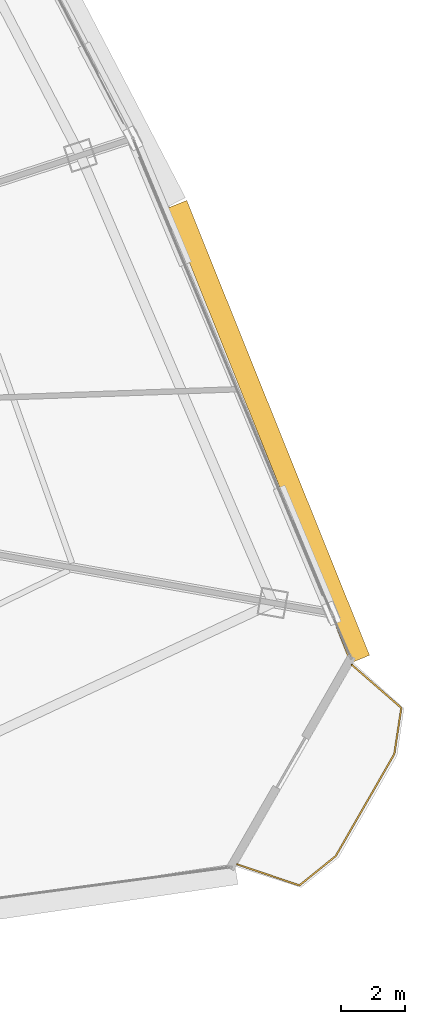
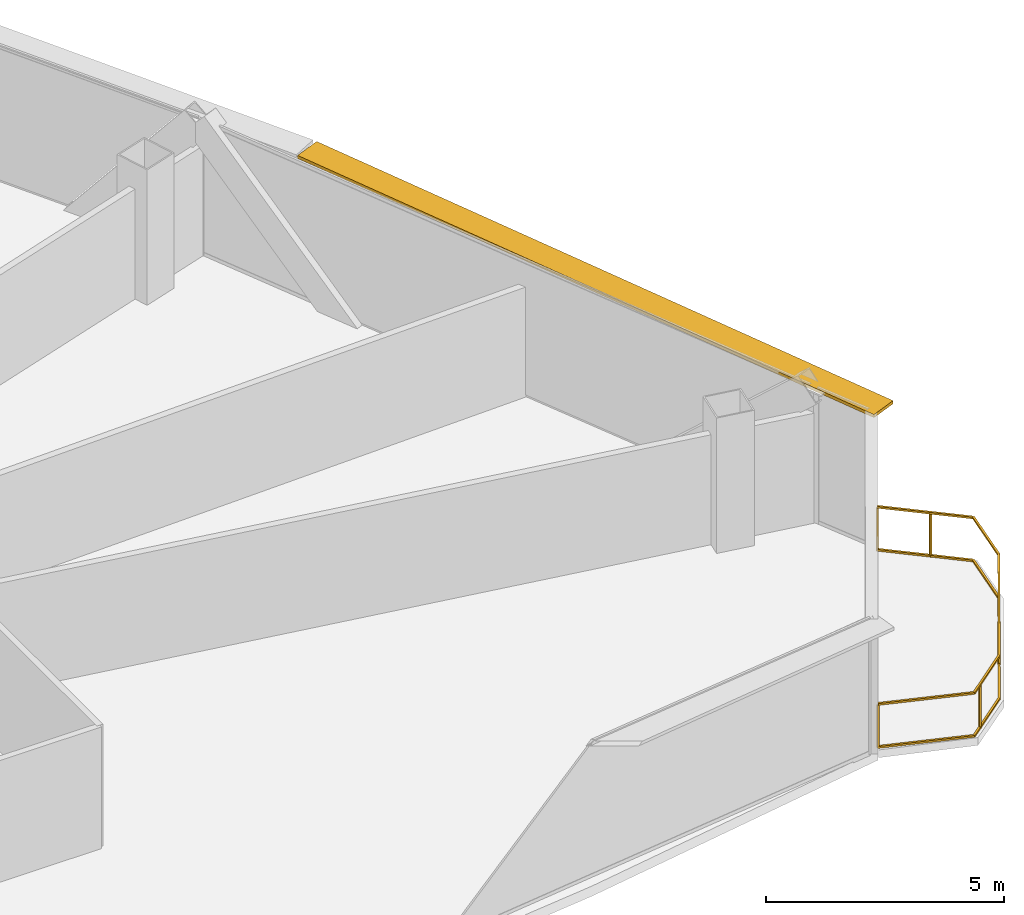
# One storey, part 37 of 37: 1 railing, 1 shading device.
"""IFC4 building model written with IfcOpenShell, lengths in metres."""

from ifc_helpers import new_model, si_unit, direction, frame, origin, origin_2d, place, context, subcontext, project, spatial, rectangle, extrude, source, transform, mapped, material, layer, layer_set, type_object, element, save


model = new_model("IFC4")

# Units and contexts
model_context = context("Model", 3, precision=1e-05, world=origin(), true_north=direction((0.0, 1.0)))
body_context = subcontext(model_context, "Body", "Model", "MODEL_VIEW")
ifc_project = project(units=[si_unit("LENGTHUNIT", "METRE"), si_unit("AREAUNIT", "SQUARE_METRE"), si_unit("VOLUMEUNIT", "CUBIC_METRE"), si_unit("PLANEANGLEUNIT", "RADIAN"), si_unit("MASSUNIT", "GRAM", prefix="KILO"), si_unit("THERMODYNAMICTEMPERATUREUNIT", "KELVIN"), si_unit("POWERUNIT", "WATT")], contexts=[model_context])

# Site, building, storey
site_placement = place(None, origin())
site = spatial("IfcSite", under=ifc_project, at=site_placement, CompositionType="ELEMENT")
building_placement = place(site_placement, origin())
building = spatial("IfcBuilding", under=site, at=building_placement, Name="Yunzhuo Pagoda Commons", CompositionType="ELEMENT")
storey_placement = place(building_placement, frame((0.0, 0.0, 251.989990234375)))
storey = spatial("IfcBuildingStorey", under=building, at=storey_placement, Name="L63", CompositionType="ELEMENT", Elevation=251.989990234375)

# Railing
ifc_material = material(Name="Anodized aluminium 6063-T6", Category="aluminium")
railing_type = type_object("IfcRailingType", Name="RL-BAL1 Exterior Terrace & Balcony Balustrade 1150", PredefinedType="BALUSTRADE", material=ifc_material)
railing_placement = place(storey_placement, frame((78.8203125, 19.86328125, 0.0)))
element("IfcRailing", 1, at=railing_placement, inside=storey, type_object=railing_type, Name="L63 corner balcony balustrade V2", PredefinedType="BALUSTRADE", context=body_context, shape_type="SweptSolid", body=[
    extrude(rectangle(XDim=0.048095703125, YDim=0.048095703125, at=origin_2d()), frame((0.0, 0.0, 1.1259765625), z_axis=(0.947419062147, -0.319995501031, 0.0), x_axis=(0.319995501031, 0.947419062147, 0.0)), (0.0, 0.0, 1.0), 2.05908203125),
    extrude(rectangle(XDim=0.048095703125, YDim=0.048095703125, at=origin_2d()), frame((0.0, 0.0, 0.02392578125), z_axis=(0.947419062147, -0.319995501031, 0.0), x_axis=(0.319995501031, 0.947419062147, 0.0)), (0.0, 0.0, 1.0), 2.05908203125),
    extrude(rectangle(XDim=0.048095703125, YDim=0.048095703125, at=origin_2d()), frame((1.950927734375, -0.658935546875, 1.1259765625), z_axis=(0.777884784349, 0.628406924117, 0.0), x_axis=(-0.628406924117, 0.777884784349, 0.0)), (0.0, 0.0, 1.0), 1.465087890625),
    extrude(rectangle(XDim=0.048095703125, YDim=0.048095703125, at=origin_2d()), frame((1.950927734375, -0.658935546875, 0.02392578125), z_axis=(0.777884784349, 0.628406924117, 0.0), x_axis=(-0.628406924117, 0.777884784349, 0.0)), (0.0, 0.0, 1.0), 1.465087890625),
    extrude(rectangle(XDim=0.048095703125, YDim=0.048095703125, at=origin_2d()), frame((3.090576171875, 0.26171875, 1.1259765625), z_axis=(0.497975284399, 0.867191222354, 0.0), x_axis=(-0.867191222354, 0.497975284399, 0.0)), (0.0, 0.0, 1.0), 3.691650390625),
    extrude(rectangle(XDim=0.048095703125, YDim=0.048095703125, at=origin_2d()), frame((3.090576171875, 0.26171875, 0.02392578125), z_axis=(0.497975284399, 0.867191222354, 0.0), x_axis=(-0.867191222354, 0.497975284399, 0.0)), (0.0, 0.0, 1.0), 3.691650390625),
    extrude(rectangle(XDim=0.048095703125, YDim=0.048095703125, at=origin_2d()), frame((4.928955078125, 3.463134765625, 1.1259765625), z_axis=(0.150466779766, 0.988615065729, 0.0), x_axis=(-0.988615065729, 0.150466779766, 0.0)), (0.0, 0.0, 1.0), 1.465087890625),
    extrude(rectangle(XDim=0.048095703125, YDim=0.048095703125, at=origin_2d()), frame((4.928955078125, 3.463134765625, 0.02392578125), z_axis=(0.150466779766, 0.988615065729, 0.0), x_axis=(-0.988615065729, 0.150466779766, 0.0)), (0.0, 0.0, 1.0), 1.465087890625),
    extrude(rectangle(XDim=0.048095703125, YDim=0.048095703125, at=origin_2d()), frame((5.1494140625, 4.91162109375, 1.1259765625), z_axis=(-0.753984993137, 0.656891642605, 0.0), x_axis=(-0.656891642605, -0.753984993137, 0.0)), (0.0, 0.0, 1.0), 2.059326171875),
    extrude(rectangle(XDim=0.048095703125, YDim=0.048095703125, at=origin_2d()), frame((5.1494140625, 4.91162109375, 0.02392578125), z_axis=(-0.753984993137, 0.656891642605, 0.0), x_axis=(-0.656891642605, -0.753984993137, 0.0)), (0.0, 0.0, 1.0), 2.059326171875),
    extrude(rectangle(XDim=0.0419921875, YDim=0.0419921875, at=origin_2d()), origin(), (0.0, 0.0, 1.0), 1.101806640625),
    extrude(rectangle(XDim=0.0419921875, YDim=0.0419921875, at=origin_2d()), frame((2.216064453125, -0.44482421875, 0.0)), (0.0, 0.0, 1.0), 1.101806640625),
    extrude(rectangle(XDim=0.0419921875, YDim=0.0419921875, at=origin_2d()), frame((3.725830078125, 1.367919921875, 0.0)), (0.0, 0.0, 1.0), 1.101806640625),
    extrude(rectangle(XDim=0.0419921875, YDim=0.0419921875, at=origin_2d()), frame((4.45654296875, 5.51513671875, 0.0)), (0.0, 0.0, 1.0), 1.101806640625),
    extrude(rectangle(XDim=0.0419921875, YDim=0.0419921875, at=origin_2d()), frame((3.5966796875, 6.264404296875, 0.0)), (0.0, 0.0, 1.0), 1.101806640625),
])

# Shading device
ifc_layer = layer(ifc_material, 0.080078125)
ifc_layer_set = layer_set([ifc_layer], Name="Anodized aluminium 6063-T6")
shading_device_type = type_object("IfcShadingDeviceType", Name="SH-SUN1 Pagoda Horizontal Sunshade Eave 650", PredefinedType="USERDEFINED", material=ifc_layer_set)
shared_shape = source(origin(), body_context, "Body", "SweptSolid", [
    extrude(rectangle(XDim=15.388671875, YDim=0.64990234375, at=origin_2d()), origin(), (0.0, 0.0, 1.0), 0.080078125),
])
shading_device_placement = place(storey_placement, frame((79.80224609375, 33.444091796875, 3.389892578125), z_axis=(0.0, 0.0, 1.0), x_axis=(-0.372987782576, 0.927836253899, 0.0)))
element("IfcShadingDevice", 2, at=shading_device_placement, inside=storey, type_object=shading_device_type, Name="L63 horizontal pagoda sunshade eave F2.1", ObjectType="SUNSHADE", PredefinedType="USERDEFINED", context=body_context, shape_type="MappedRepresentation", body=[
    mapped(shared_shape, transform((0.0, 0.0, 0.0), scale=1.0)),
])

save(model, "model.ifc")
